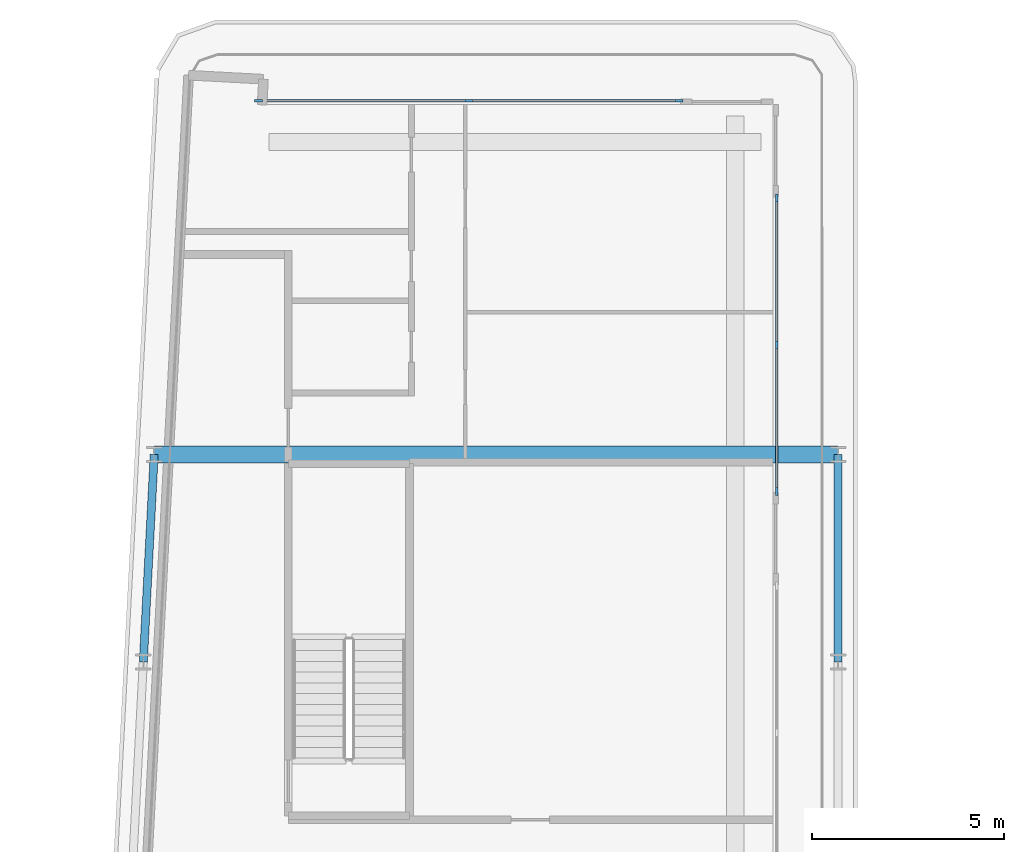
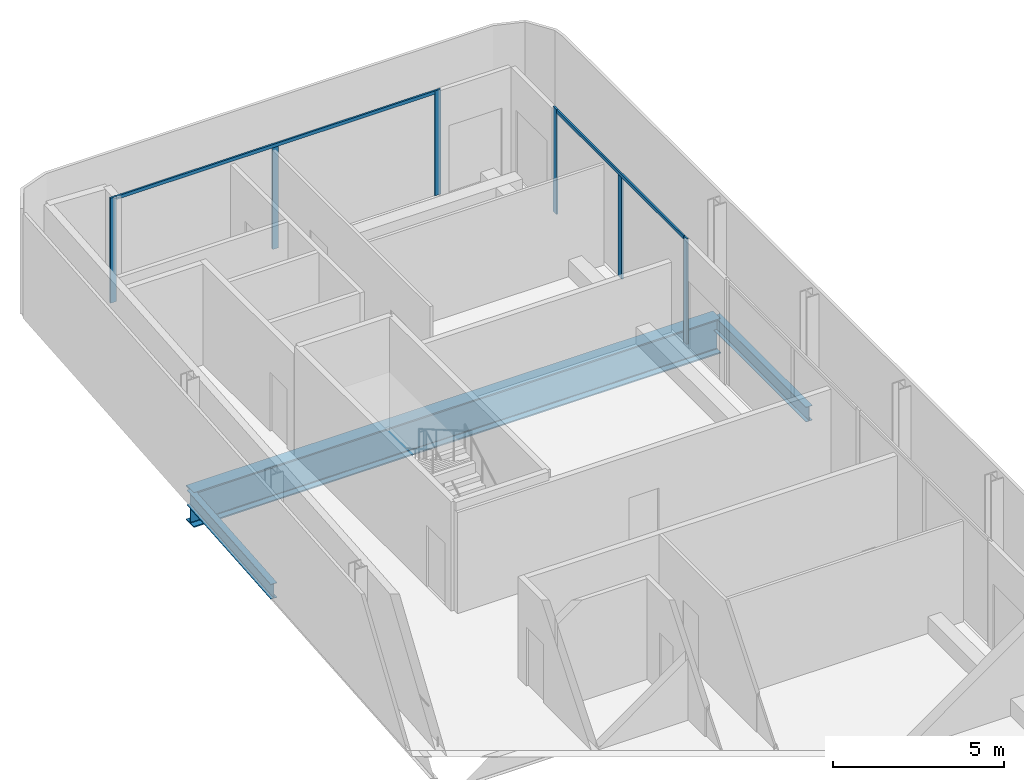
# One storey, part 7 of 22: 8 members, 3 beams, 2 elements without a shape of their own.
"""IFC4 building model written with IfcOpenShell, lengths in metres."""

import ifcopenshell
import ifcopenshell.guid

model = None  # the IFC model being written
_history = None  # IfcOwnerHistory: only IFC2X3 demands one
_inside = {}  # id of a spatial element -> (the spatial element, [elements in it])
_under = {}  # id of a project, library or spatial element -> (it, [spatial elements below it])
_declared = {}  # id of a project -> (the project, [libraries it declares])
_typed = {}  # id of a type object -> (the type object, [elements of that type])
_made_of = {}  # id of a material, layer set ... -> (it, [elements and type objects made of it])


def new_model(schema):
    """Start an empty IFC model of exactly this schema.

    Asked for "IFC4X3", IfcOpenShell would pick the latest addendum, in which some entities
    have other attributes; the version numbers below select the first issue.
    IFC2X3 requires an IfcOwnerHistory on every rooted entity: one is made here for all.
    """
    global model, _history
    if schema == "IFC4X3":
        model = ifcopenshell.file(schema_version=(4, 3, 0, 0))
    else:
        model = ifcopenshell.file(schema=schema)
    _inside.clear()
    _under.clear()
    _declared.clear()
    _typed.clear()
    _made_of.clear()
    _history = None
    if model.schema == "IFC2X3":
        org = make("IfcOrganization", Name="unknown")
        user = make(
            "IfcPersonAndOrganization",
            ThePerson=make("IfcPerson", FamilyName="unknown"),
            TheOrganization=org,
        )
        app = make(
            "IfcApplication",
            ApplicationDeveloper=org,
            Version="unknown",
            ApplicationFullName="unknown",
            ApplicationIdentifier="unknown",
        )
        _history = make(
            "IfcOwnerHistory",
            OwningUser=user,
            OwningApplication=app,
            ChangeAction="ADDED",
            CreationDate=0,
        )
    return model


def make(cls, **values):
    """One entity of the class cls with the attributes given. An attribute that is None is left unset."""
    return model.create_entity(
        cls, **{name: value for name, value in values.items() if value is not None}
    )


def rooted(cls, **values):
    """An entity with a GlobalId (a new one), such as an element, a storey or a relation."""
    return make(cls, GlobalId=ifcopenshell.guid.new(), OwnerHistory=_history, **values)


def si_unit(unit_type, name, prefix=None):
    """IfcSIUnit, for example si_unit("LENGTHUNIT", "METRE", prefix="MILLI")."""
    return make("IfcSIUnit", UnitType=unit_type, Prefix=prefix, Name=name)


def assignment(units):
    """IfcUnitAssignment: the units of a project."""
    return None if units is None else make("IfcUnitAssignment", Units=units)


def point(xyz):
    """IfcCartesianPoint."""
    return None if xyz is None else make("IfcCartesianPoint", Coordinates=xyz)


def direction(xyz):
    """IfcDirection."""
    return None if xyz is None else make("IfcDirection", DirectionRatios=xyz)


def frame(location, z_axis=None, x_axis=None):
    """IfcAxis2Placement3D, a coordinate frame: its origin and axes. An axis left out is left unset."""
    return make(
        "IfcAxis2Placement3D",
        Location=point(location),
        Axis=direction(z_axis),
        RefDirection=direction(x_axis),
    )


def frame_2d(location, x_axis=None):
    """IfcAxis2Placement2D, a coordinate frame in the plane: its origin and x axis."""
    return make(
        "IfcAxis2Placement2D", Location=point(location), RefDirection=direction(x_axis)
    )


def origin():
    """The frame at (0, 0, 0) with its axes left unset."""
    return frame((0.0, 0.0, 0.0))


def origin_2d():
    """The frame at (0, 0) in the plane with its x axis left unset."""
    return frame_2d((0.0, 0.0))


def place(relative_to, where):
    """IfcLocalPlacement: puts the frame where relative to a parent placement (None: the world)."""
    return make(
        "IfcLocalPlacement", PlacementRelTo=relative_to, RelativePlacement=where
    )


def context(
    kind, dimensions, precision=None, world=None, true_north=None, identifier=None
):
    """IfcGeometricRepresentationContext, for example the 3D "Model" context."""
    return make(
        "IfcGeometricRepresentationContext",
        ContextIdentifier=identifier,
        ContextType=kind,
        CoordinateSpaceDimension=dimensions,
        Precision=precision,
        WorldCoordinateSystem=world,
        TrueNorth=true_north,
    )


def subcontext(parent, identifier, kind, view, scale=None):
    """IfcGeometricRepresentationSubContext, for example "Body" below "Model"."""
    return make(
        "IfcGeometricRepresentationSubContext",
        ContextIdentifier=identifier,
        ContextType=kind,
        ParentContext=parent,
        TargetScale=scale,
        TargetView=view,
    )


def project(units=None, contexts=None):
    """IfcProject with its units and contexts."""
    return rooted(
        "IfcProject",
        Name="project",
        RepresentationContexts=contexts,
        UnitsInContext=assignment(units),
    )


def spatial(cls, under=None, at=None, **own):
    """A site, building, storey or space (cls), placed at a placement, below another one or the project."""
    s = rooted(cls, ObjectPlacement=at, **own)
    if under is not None:
        _under.setdefault(under.id(), (under, []))[1].append(s)
    return s


def profile(cls, at=None, kind="AREA", **sizes):
    """A parametric profile (cls). Its sizes go by their IFC names, for example OverallWidth=200.0."""
    return make(cls, ProfileType=kind, Position=at, **sizes)


def rectangle(**sizes):
    """IfcRectangleProfileDef."""
    return profile("IfcRectangleProfileDef", **sizes)


def i_section(**sizes):
    """IfcIShapeProfileDef."""
    return profile("IfcIShapeProfileDef", **sizes)


def extrude(swept, where, along, depth):
    """IfcExtrudedAreaSolid: the profile swept, set in the frame where, extruded along a direction by depth."""
    return make(
        "IfcExtrudedAreaSolid",
        SweptArea=swept,
        Position=where,
        ExtrudedDirection=direction(along),
        Depth=depth,
    )


def shape(context_of_items, identifier, shape_type, items):
    """IfcShapeRepresentation: the items that make up one representation, for example the "Body"."""
    return make(
        "IfcShapeRepresentation",
        ContextOfItems=context_of_items,
        RepresentationIdentifier=identifier,
        RepresentationType=shape_type,
        Items=items,
    )


def material(Name=None, Category=None):
    """IfcMaterial."""
    return make("IfcMaterial", Name=Name, Category=Category)


def layer(
    of_material, thickness, ventilated=None, Name=None, Category=None, Priority=None
):
    """IfcMaterialLayer: one layer of a wall or slab, of a material (None: an air gap)."""
    return make(
        "IfcMaterialLayer",
        Material=of_material,
        LayerThickness=thickness,
        IsVentilated=ventilated,
        Name=Name,
        Category=Category,
        Priority=Priority,
    )


def layer_set(layers, Name=None):
    """IfcMaterialLayerSet."""
    return make("IfcMaterialLayerSet", MaterialLayers=layers, LayerSetName=Name)


def material_profile(
    of_material, cross_section, Name=None, Category=None, Priority=None
):
    """IfcMaterialProfile: a cross section and its material."""
    return make(
        "IfcMaterialProfile",
        Name=Name,
        Material=of_material,
        Profile=cross_section,
        Priority=Priority,
        Category=Category,
    )


def profile_set(profiles, Name=None, composite=None):
    """IfcMaterialProfileSet."""
    return make(
        "IfcMaterialProfileSet",
        Name=Name,
        MaterialProfiles=profiles,
        CompositeProfile=composite,
    )


def made_of(thing, what):
    """Note that an element or type object is made of a material, layer set ...; save() writes the relation."""
    if what is not None:
        _made_of.setdefault(what.id(), (what, []))[1].append(thing)
    return thing


def type_object(cls, material=None, **own):
    """A type object (cls), such as IfcWallType, which elements share."""
    return made_of(rooted(cls, **own), material)


def element(
    cls,
    number,
    at=None,
    inside=None,
    cuts=None,
    type_object=None,
    material=None,
    context=None,
    identifier="Body",
    shape_type=None,
    held_by="IfcProductDefinitionShape",
    body=None,
    shapes=None,
    **own,
):
    """One element of the class cls, such as IfcWall. Its Tag is "e" and its number.

    at: its placement. inside: the storey or other place that contains it. cuts: it is an
    opening in that element (IfcRelVoidsElement). A single representation is given by context,
    identifier, shape_type and body (its items); several are given by shapes. held_by: the class
    of the entity that holds the representations. save() writes the other relations.
    """
    e = rooted(cls, Tag="e%d" % number, ObjectPlacement=at, **own)
    if body is not None:
        shapes = [shape(context, identifier, shape_type, body)]
    if shapes is not None:
        e.Representation = make(held_by, Representations=shapes)
    if inside is not None:
        _inside.setdefault(inside.id(), (inside, []))[1].append(e)
    if cuts is not None:
        rooted(
            "IfcRelVoidsElement", RelatingBuildingElement=cuts, RelatedOpeningElement=e
        )
    if type_object is not None:
        _typed.setdefault(type_object.id(), (type_object, []))[1].append(e)
    return made_of(e, material)


def aggregate(whole, parts):
    """IfcRelAggregates: a whole, such as a stair, and the parts it consists of."""
    return rooted("IfcRelAggregates", RelatingObject=whole, RelatedObjects=parts)


def save(model, path):
    """Write the relations noted so far, then the file.

    IfcRelAggregates (storeys below a building ...), IfcRelContainedInSpatialStructure (elements
    in a storey), IfcRelDefinesByType, IfcRelAssociatesMaterial and IfcRelDeclares: one each for
    every whole, place, type object, material and project.
    """
    for whole, parts in _under.values():
        aggregate(whole, parts)
    for where, things in _inside.values():
        rooted(
            "IfcRelContainedInSpatialStructure",
            RelatedElements=things,
            RelatingStructure=where,
        )
    for kind, things in _typed.values():
        rooted("IfcRelDefinesByType", RelatedObjects=things, RelatingType=kind)
    for what, things in _made_of.values():
        rooted("IfcRelAssociatesMaterial", RelatedObjects=things, RelatingMaterial=what)
    for by, libraries in _declared.values():
        rooted("IfcRelDeclares", RelatingContext=by, RelatedDefinitions=libraries)
    model.write(path)


model = new_model("IFC4")

# Units and contexts
model_context = context("Model", 3, precision=1e-05, world=origin(), true_north=direction((0.0, 1.0)))
body_context = subcontext(model_context, "Body", "Model", "MODEL_VIEW")
ifc_project = project(units=[si_unit("LENGTHUNIT", "METRE"), si_unit("AREAUNIT", "SQUARE_METRE"), si_unit("VOLUMEUNIT", "CUBIC_METRE"), si_unit("PLANEANGLEUNIT", "RADIAN"), si_unit("MASSUNIT", "GRAM", prefix="KILO")], contexts=[model_context])

# Site, building, storey
site_placement = place(None, origin())
site = spatial("IfcSite", under=ifc_project, at=site_placement, CompositionType="ELEMENT")
building_placement = place(site_placement, origin())
building = spatial("IfcBuilding", under=site, at=building_placement, Name="Kheshtan School and Residences Tower", CompositionType="ELEMENT")
storey_placement = place(building_placement, frame((0.0, 0.0, 255.199951171875)))
storey = spatial("IfcBuildingStorey", under=building, at=storey_placement, Name="L60", CompositionType="ELEMENT", Elevation=255.199951171875)

# Beams
ifc_material_1 = material(Name="Steel ASTM A992 Grade 50", Category="steel")
ifc_material_profile_1 = material_profile(ifc_material_1, i_section(OverallWidth=0.208984375, OverallDepth=0.532958984375, WebThickness=0.01025390625, FlangeThickness=0.015625, FilletRadius=0.013916015625, at=origin_2d()), Name="W530x92")
ifc_profile_set_1 = profile_set([ifc_material_profile_1], Name="Steel ASTM A992 Grade 50")
beam_type_1 = type_object("IfcBeamType", Name="Beam SP3 W530x92 ASTM A992 Grade 50", PredefinedType="BEAM", material=ifc_profile_set_1)
beam_1_placement = place(storey_placement, frame((47.60009765625, 88.800048828125, -0.41650390625), z_axis=(0.0, -1.0, 0.0), x_axis=(1.0, 0.0, 0.0)))
element("IfcBeam", 1, at=beam_1_placement, inside=storey, type_object=beam_type_1, Name="Spandrel beam C099-C091", PredefinedType="BEAM", context=body_context, shape_type="SweptSolid", body=[
    extrude(i_section(OverallWidth=0.208984375, OverallDepth=0.532958984375, WebThickness=0.01025390625, FlangeThickness=0.015625, FilletRadius=0.013916015625, at=origin_2d()), origin(), (0.0, 0.0, 1.0), 5.400146484375),
])
beam_2_placement = place(storey_placement, frame((29.527099609375, 83.39990234375, -0.41650390625), z_axis=(0.05250670125, 0.998620571751, 0.0), x_axis=(-0.998620571751, 0.05250670125, 0.0)))
element("IfcBeam", 2, at=beam_2_placement, inside=storey, type_object=beam_type_1, Name="Spandrel beam C090-C098", PredefinedType="BEAM", context=body_context, shape_type="SweptSolid", body=[
    extrude(i_section(OverallWidth=0.208984375, OverallDepth=0.532958984375, WebThickness=0.01025390625, FlangeThickness=0.015625, FilletRadius=0.013916015625, at=origin_2d()), origin(), (0.0, 0.0, 1.0), 5.40771484375),
])

# Curtain wall, members
ifc_material_2 = material(Name="Clear low-e glass in thermally broken aluminium frame", Category="aluminium")
ifc_layer = layer(ifc_material_2, 0.199951171875)
ifc_layer_set = layer_set([ifc_layer], Name="Curtain wall CW-L")
curtain_wall_type = type_object("IfcCurtainWallType", Name="Curtain wall CW-L", PredefinedType="NOTDEFINED", material=ifc_layer_set)
curtain_wall_1_placement = place(storey_placement, origin())
curtain_wall_1 = element("IfcCurtainWall", 3, at=curtain_wall_1_placement, inside=storey, type_object=curtain_wall_type, Name="Curtain wall CWL7", PredefinedType="NOTDEFINED")
ifc_material_3 = material(Name="Thermally broken aluminium, dark bronze anodised", Category="aluminium")
ifc_material_profile_2 = material_profile(ifc_material_3, rectangle(XDim=0.06005859375, YDim=0.199951171875, at=origin_2d()), Name="CW-L mullion 60x200")
ifc_profile_set_2 = profile_set([ifc_material_profile_2], Name="Thermally broken aluminium, dark bronze anodised")
member_type_1 = type_object("IfcMemberType", Name="CW-L mullion 60x200", PredefinedType="MULLION", material=ifc_profile_set_2)
member_1_placement = place(storey_placement, frame((32.52197265625, 98.0, 0.0), z_axis=(0.0, 0.0, 1.0), x_axis=(0.0, 1.0, 0.0)))
member_1 = element("IfcMember", 4, at=member_1_placement, type_object=member_type_1, Name="CWL7 mullion 1", PredefinedType="MULLION", context=body_context, shape_type="SweptSolid", body=[
    extrude(rectangle(XDim=0.06005859375, YDim=0.199951171875, at=origin_2d()), origin(), (0.0, 0.0, 1.0), 3.75),
])
member_2_placement = place(storey_placement, frame((37.99609375, 98.0, 0.0), z_axis=(0.0, 0.0, 1.0), x_axis=(0.0, 1.0, 0.0)))
member_2 = element("IfcMember", 5, at=member_2_placement, type_object=member_type_1, Name="CWL7 mullion 2", PredefinedType="MULLION", context=body_context, shape_type="SweptSolid", body=[
    extrude(rectangle(XDim=0.06005859375, YDim=0.199951171875, at=origin_2d()), origin(), (0.0, 0.0, 1.0), 3.630126953125),
])
member_3_placement = place(storey_placement, frame((43.469970703125, 98.0, 0.0), z_axis=(0.0, 0.0, 1.0), x_axis=(0.0, 1.0, 0.0)))
member_3 = element("IfcMember", 6, at=member_3_placement, type_object=member_type_1, Name="CWL7 mullion 3", PredefinedType="MULLION", context=body_context, shape_type="SweptSolid", body=[
    extrude(rectangle(XDim=0.06005859375, YDim=0.199951171875, at=origin_2d()), origin(), (0.0, 0.0, 1.0), 3.75),
])

curtain_wall_2_placement = place(storey_placement, origin())
curtain_wall_2 = element("IfcCurtainWall", 7, at=curtain_wall_2_placement, inside=storey, type_object=curtain_wall_type, Name="Curtain wall CWL8", PredefinedType="NOTDEFINED")
member_4_placement = place(storey_placement, frame((46.0, 95.469970703125, 0.0), z_axis=(0.0, 0.0, 1.0), x_axis=(1.0, 0.0, 0.0)))
member_4 = element("IfcMember", 8, at=member_4_placement, type_object=member_type_1, Name="CWL8 mullion 1", PredefinedType="MULLION", context=body_context, shape_type="SweptSolid", body=[
    extrude(rectangle(XDim=0.06005859375, YDim=0.199951171875, at=origin_2d()), origin(), (0.0, 0.0, 1.0), 3.75),
])
member_5_placement = place(storey_placement, frame((46.0, 91.653076171875, 0.0), z_axis=(0.0, 0.0, 1.0), x_axis=(1.0, 0.0, 0.0)))
member_5 = element("IfcMember", 9, at=member_5_placement, type_object=member_type_1, Name="CWL8 mullion 2", PredefinedType="MULLION", context=body_context, shape_type="SweptSolid", body=[
    extrude(rectangle(XDim=0.06005859375, YDim=0.199951171875, at=origin_2d()), origin(), (0.0, 0.0, 1.0), 3.630126953125),
])
member_6_placement = place(storey_placement, frame((46.0, 87.8359375, 0.0), z_axis=(0.0, 0.0, 1.0), x_axis=(1.0, 0.0, 0.0)))
member_6 = element("IfcMember", 10, at=member_6_placement, type_object=member_type_1, Name="CWL8 mullion 3", PredefinedType="MULLION", context=body_context, shape_type="SweptSolid", body=[
    extrude(rectangle(XDim=0.06005859375, YDim=0.199951171875, at=origin_2d()), origin(), (0.0, 0.0, 1.0), 3.75),
])

# Member
ifc_material_profile_3 = material_profile(ifc_material_3, rectangle(XDim=0.06005859375, YDim=0.1201171875, at=origin_2d()), Name="CW-L transom 60x120")
ifc_profile_set_3 = profile_set([ifc_material_profile_3], Name="Thermally broken aluminium, dark bronze anodised")
member_type_2 = type_object("IfcMemberType", Name="CW-L transom 60x120", PredefinedType="USERDEFINED", material=ifc_profile_set_3)
member_7_placement = place(storey_placement, frame((32.552001953125, 98.0, 3.68994140625), z_axis=(1.0, 0.0, 0.0), x_axis=(0.0, 1.0, 0.0)))
member_7 = element("IfcMember", 11, at=member_7_placement, type_object=member_type_2, Name="CWL7 transom 1", ObjectType="TRANSOM", PredefinedType="USERDEFINED", context=body_context, shape_type="SweptSolid", body=[
    extrude(rectangle(XDim=0.06005859375, YDim=0.1201171875, at=origin_2d()), origin(), (0.0, 0.0, 1.0), 10.887939453125),
])

aggregate(curtain_wall_1, [member_1, member_2, member_3, member_7])

member_8_placement = place(storey_placement, frame((46.0, 95.43994140625, 3.68994140625), z_axis=(0.0, -1.0, 0.0), x_axis=(1.0, 0.0, 0.0)))
member_8 = element("IfcMember", 12, at=member_8_placement, type_object=member_type_2, Name="CWL8 transom 1", ObjectType="TRANSOM", PredefinedType="USERDEFINED", context=body_context, shape_type="SweptSolid", body=[
    extrude(rectangle(XDim=0.06005859375, YDim=0.1201171875, at=origin_2d()), origin(), (0.0, 0.0, 1.0), 7.573974609375),
])

aggregate(curtain_wall_2, [member_4, member_5, member_6, member_8])

# Beam
ifc_material_profile_4 = material_profile(ifc_material_1, i_section(OverallWidth=0.449951171875, OverallDepth=1.25, WebThickness=0.02490234375, FlangeThickness=0.044921875, FilletRadius=0.03759765625, at=origin_2d()), Name="WWF1250x546")
ifc_profile_set_4 = profile_set([ifc_material_profile_4], Name="Steel ASTM A992 Grade 50")
beam_type_2 = type_object("IfcBeamType", Name="Transfer girder TG4 WWF1250x546 ASTM A992 Grade 50", PredefinedType="BEAM", material=ifc_profile_set_4)
beam_3_placement = place(storey_placement, frame((29.81103515625, 88.800048828125, -0.77490234375), z_axis=(1.0, 0.0, 0.0), x_axis=(0.0, 1.0, 0.0)))
element("IfcBeam", 13, at=beam_3_placement, inside=storey, type_object=beam_type_2, Name="Transfer girder C098-C099", PredefinedType="BEAM", context=body_context, shape_type="SweptSolid", body=[
    extrude(i_section(OverallWidth=0.449951171875, OverallDepth=1.25, WebThickness=0.02490234375, FlangeThickness=0.044921875, FilletRadius=0.03759765625, at=origin_2d()), origin(), (0.0, 0.0, 1.0), 17.7890625),
])

save(model, "model.ifc")
